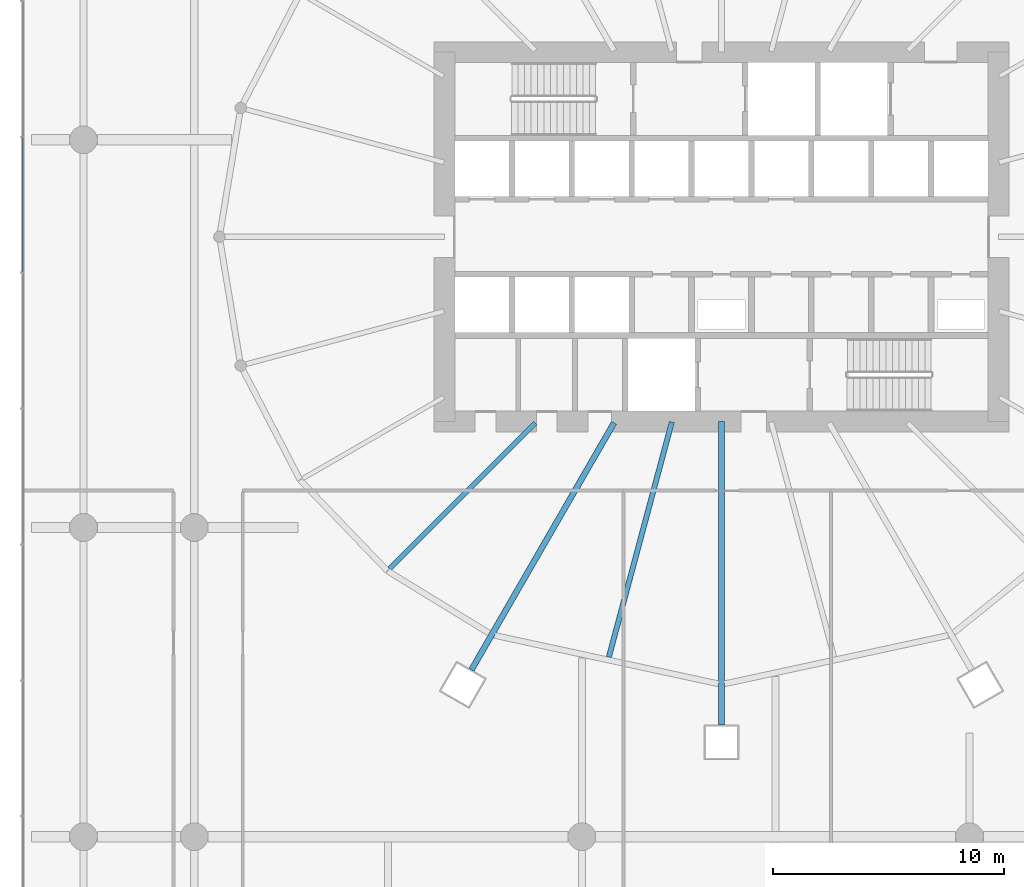
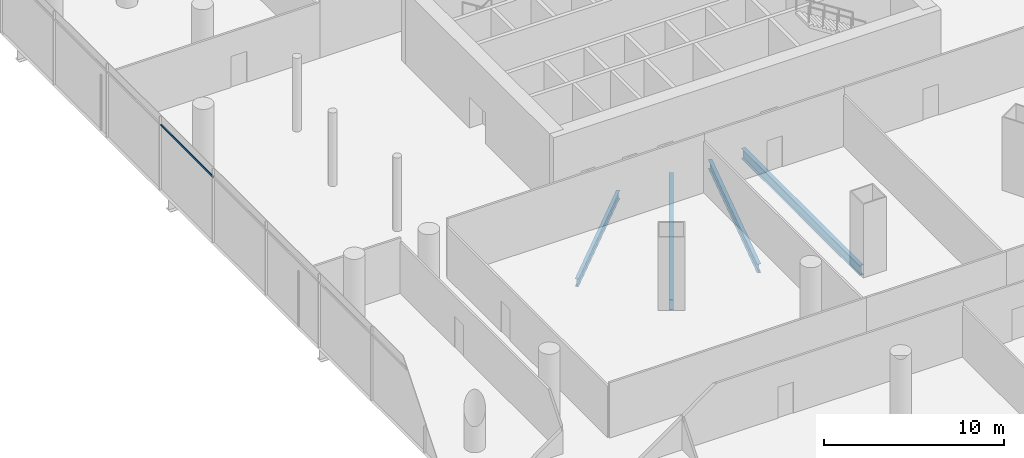
# One storey, part 10 of 51: 4 beams, 1 member, 1 element without a shape of its own.
"""IFC4 building model written with IfcOpenShell, lengths in metres."""

import ifcopenshell
import ifcopenshell.guid

model = None  # the IFC model being written
_history = None  # IfcOwnerHistory: only IFC2X3 demands one
_inside = {}  # id of a spatial element -> (the spatial element, [elements in it])
_under = {}  # id of a project, library or spatial element -> (it, [spatial elements below it])
_declared = {}  # id of a project -> (the project, [libraries it declares])
_typed = {}  # id of a type object -> (the type object, [elements of that type])
_made_of = {}  # id of a material, layer set ... -> (it, [elements and type objects made of it])


def new_model(schema):
    """Start an empty IFC model of exactly this schema.

    Asked for "IFC4X3", IfcOpenShell would pick the latest addendum, in which some entities
    have other attributes; the version numbers below select the first issue.
    IFC2X3 requires an IfcOwnerHistory on every rooted entity: one is made here for all.
    """
    global model, _history
    if schema == "IFC4X3":
        model = ifcopenshell.file(schema_version=(4, 3, 0, 0))
    else:
        model = ifcopenshell.file(schema=schema)
    _inside.clear()
    _under.clear()
    _declared.clear()
    _typed.clear()
    _made_of.clear()
    _history = None
    if model.schema == "IFC2X3":
        org = make("IfcOrganization", Name="unknown")
        user = make(
            "IfcPersonAndOrganization",
            ThePerson=make("IfcPerson", FamilyName="unknown"),
            TheOrganization=org,
        )
        app = make(
            "IfcApplication",
            ApplicationDeveloper=org,
            Version="unknown",
            ApplicationFullName="unknown",
            ApplicationIdentifier="unknown",
        )
        _history = make(
            "IfcOwnerHistory",
            OwningUser=user,
            OwningApplication=app,
            ChangeAction="ADDED",
            CreationDate=0,
        )
    return model


def make(cls, **values):
    """One entity of the class cls with the attributes given. An attribute that is None is left unset."""
    return model.create_entity(
        cls, **{name: value for name, value in values.items() if value is not None}
    )


def rooted(cls, **values):
    """An entity with a GlobalId (a new one), such as an element, a storey or a relation."""
    return make(cls, GlobalId=ifcopenshell.guid.new(), OwnerHistory=_history, **values)


def si_unit(unit_type, name, prefix=None):
    """IfcSIUnit, for example si_unit("LENGTHUNIT", "METRE", prefix="MILLI")."""
    return make("IfcSIUnit", UnitType=unit_type, Prefix=prefix, Name=name)


def assignment(units):
    """IfcUnitAssignment: the units of a project."""
    return None if units is None else make("IfcUnitAssignment", Units=units)


def point(xyz):
    """IfcCartesianPoint."""
    return None if xyz is None else make("IfcCartesianPoint", Coordinates=xyz)


def direction(xyz):
    """IfcDirection."""
    return None if xyz is None else make("IfcDirection", DirectionRatios=xyz)


def frame(location, z_axis=None, x_axis=None):
    """IfcAxis2Placement3D, a coordinate frame: its origin and axes. An axis left out is left unset."""
    return make(
        "IfcAxis2Placement3D",
        Location=point(location),
        Axis=direction(z_axis),
        RefDirection=direction(x_axis),
    )


def frame_2d(location, x_axis=None):
    """IfcAxis2Placement2D, a coordinate frame in the plane: its origin and x axis."""
    return make(
        "IfcAxis2Placement2D", Location=point(location), RefDirection=direction(x_axis)
    )


def origin():
    """The frame at (0, 0, 0) with its axes left unset."""
    return frame((0.0, 0.0, 0.0))


def origin_2d():
    """The frame at (0, 0) in the plane with its x axis left unset."""
    return frame_2d((0.0, 0.0))


def place(relative_to, where):
    """IfcLocalPlacement: puts the frame where relative to a parent placement (None: the world)."""
    return make(
        "IfcLocalPlacement", PlacementRelTo=relative_to, RelativePlacement=where
    )


def context(
    kind, dimensions, precision=None, world=None, true_north=None, identifier=None
):
    """IfcGeometricRepresentationContext, for example the 3D "Model" context."""
    return make(
        "IfcGeometricRepresentationContext",
        ContextIdentifier=identifier,
        ContextType=kind,
        CoordinateSpaceDimension=dimensions,
        Precision=precision,
        WorldCoordinateSystem=world,
        TrueNorth=true_north,
    )


def subcontext(parent, identifier, kind, view, scale=None):
    """IfcGeometricRepresentationSubContext, for example "Body" below "Model"."""
    return make(
        "IfcGeometricRepresentationSubContext",
        ContextIdentifier=identifier,
        ContextType=kind,
        ParentContext=parent,
        TargetScale=scale,
        TargetView=view,
    )


def project(units=None, contexts=None):
    """IfcProject with its units and contexts."""
    return rooted(
        "IfcProject",
        Name="project",
        RepresentationContexts=contexts,
        UnitsInContext=assignment(units),
    )


def spatial(cls, under=None, at=None, **own):
    """A site, building, storey or space (cls), placed at a placement, below another one or the project."""
    s = rooted(cls, ObjectPlacement=at, **own)
    if under is not None:
        _under.setdefault(under.id(), (under, []))[1].append(s)
    return s


def profile(cls, at=None, kind="AREA", **sizes):
    """A parametric profile (cls). Its sizes go by their IFC names, for example OverallWidth=200.0."""
    return make(cls, ProfileType=kind, Position=at, **sizes)


def rectangle(**sizes):
    """IfcRectangleProfileDef."""
    return profile("IfcRectangleProfileDef", **sizes)


def i_section(**sizes):
    """IfcIShapeProfileDef."""
    return profile("IfcIShapeProfileDef", **sizes)


def extrude(swept, where, along, depth):
    """IfcExtrudedAreaSolid: the profile swept, set in the frame where, extruded along a direction by depth."""
    return make(
        "IfcExtrudedAreaSolid",
        SweptArea=swept,
        Position=where,
        ExtrudedDirection=direction(along),
        Depth=depth,
    )


def shape(context_of_items, identifier, shape_type, items):
    """IfcShapeRepresentation: the items that make up one representation, for example the "Body"."""
    return make(
        "IfcShapeRepresentation",
        ContextOfItems=context_of_items,
        RepresentationIdentifier=identifier,
        RepresentationType=shape_type,
        Items=items,
    )


def material(Name=None, Category=None):
    """IfcMaterial."""
    return make("IfcMaterial", Name=Name, Category=Category)


def material_profile(
    of_material, cross_section, Name=None, Category=None, Priority=None
):
    """IfcMaterialProfile: a cross section and its material."""
    return make(
        "IfcMaterialProfile",
        Name=Name,
        Material=of_material,
        Profile=cross_section,
        Priority=Priority,
        Category=Category,
    )


def profile_set(profiles, Name=None, composite=None):
    """IfcMaterialProfileSet."""
    return make(
        "IfcMaterialProfileSet",
        Name=Name,
        MaterialProfiles=profiles,
        CompositeProfile=composite,
    )


def made_of(thing, what):
    """Note that an element or type object is made of a material, layer set ...; save() writes the relation."""
    if what is not None:
        _made_of.setdefault(what.id(), (what, []))[1].append(thing)
    return thing


def type_object(cls, material=None, **own):
    """A type object (cls), such as IfcWallType, which elements share."""
    return made_of(rooted(cls, **own), material)


def element(
    cls,
    number,
    at=None,
    inside=None,
    cuts=None,
    type_object=None,
    material=None,
    context=None,
    identifier="Body",
    shape_type=None,
    held_by="IfcProductDefinitionShape",
    body=None,
    shapes=None,
    **own,
):
    """One element of the class cls, such as IfcWall. Its Tag is "e" and its number.

    at: its placement. inside: the storey or other place that contains it. cuts: it is an
    opening in that element (IfcRelVoidsElement). A single representation is given by context,
    identifier, shape_type and body (its items); several are given by shapes. held_by: the class
    of the entity that holds the representations. save() writes the other relations.
    """
    e = rooted(cls, Tag="e%d" % number, ObjectPlacement=at, **own)
    if body is not None:
        shapes = [shape(context, identifier, shape_type, body)]
    if shapes is not None:
        e.Representation = make(held_by, Representations=shapes)
    if inside is not None:
        _inside.setdefault(inside.id(), (inside, []))[1].append(e)
    if cuts is not None:
        rooted(
            "IfcRelVoidsElement", RelatingBuildingElement=cuts, RelatedOpeningElement=e
        )
    if type_object is not None:
        _typed.setdefault(type_object.id(), (type_object, []))[1].append(e)
    return made_of(e, material)


def aggregate(whole, parts):
    """IfcRelAggregates: a whole, such as a stair, and the parts it consists of."""
    return rooted("IfcRelAggregates", RelatingObject=whole, RelatedObjects=parts)


def save(model, path):
    """Write the relations noted so far, then the file.

    IfcRelAggregates (storeys below a building ...), IfcRelContainedInSpatialStructure (elements
    in a storey), IfcRelDefinesByType, IfcRelAssociatesMaterial and IfcRelDeclares: one each for
    every whole, place, type object, material and project.
    """
    for whole, parts in _under.values():
        aggregate(whole, parts)
    for where, things in _inside.values():
        rooted(
            "IfcRelContainedInSpatialStructure",
            RelatedElements=things,
            RelatingStructure=where,
        )
    for kind, things in _typed.values():
        rooted("IfcRelDefinesByType", RelatedObjects=things, RelatingType=kind)
    for what, things in _made_of.values():
        rooted("IfcRelAssociatesMaterial", RelatedObjects=things, RelatingMaterial=what)
    for by, libraries in _declared.values():
        rooted("IfcRelDeclares", RelatingContext=by, RelatedDefinitions=libraries)
    model.write(path)


model = new_model("IFC4")

# Units and contexts
model_context = context("Model", 3, precision=1e-05, world=origin(), true_north=direction((0.0, 1.0)))
body_context = subcontext(model_context, "Body", "Model", "MODEL_VIEW")
ifc_project = project(units=[si_unit("LENGTHUNIT", "METRE"), si_unit("AREAUNIT", "SQUARE_METRE"), si_unit("VOLUMEUNIT", "CUBIC_METRE"), si_unit("PLANEANGLEUNIT", "RADIAN"), si_unit("MASSUNIT", "GRAM", prefix="KILO")], contexts=[model_context])

# Site, building, storey
site_placement = place(None, origin())
site = spatial("IfcSite", under=ifc_project, at=site_placement, CompositionType="ELEMENT")
building_placement = place(site_placement, origin())
building = spatial("IfcBuilding", under=site, at=building_placement, Name="Rimbun Link Towers", CompositionType="ELEMENT")
storey_placement = place(building_placement, frame((0.0, 0.0, 7.0)))
storey = spatial("IfcBuildingStorey", under=building, at=storey_placement, Name="L01", CompositionType="ELEMENT", Elevation=7.0)

# Curtain wall, member
ifc_material_1 = material(Name="Aluminium 6063-T6 and low-iron glass", Category="aluminium")
curtain_wall_type = type_object("IfcCurtainWallType", Name="CW3 podium shopfront", PredefinedType="NOTDEFINED", material=ifc_material_1)
curtain_wall_placement = place(storey_placement, origin())
curtain_wall = element("IfcCurtainWall", 1, at=curtain_wall_placement, inside=storey, type_object=curtain_wall_type, Name="CW3 L01 PD", PredefinedType="NOTDEFINED")
ifc_material_2 = material(Name="Aluminium 6063-T6", Category="aluminium")
ifc_material_profile_1 = material_profile(ifc_material_2, rectangle(XDim=0.06005859375, YDim=0.1201171875, at=origin_2d()), Name="TRANSOM 60X120")
ifc_profile_set_1 = profile_set([ifc_material_profile_1], Name="Aluminium 6063-T6")
member_type = type_object("IfcMemberType", Name="CW3 transom 60X120", PredefinedType="USERDEFINED", material=ifc_profile_set_1)
member_placement = place(storey_placement, frame((-62.053955078125, -1.525634765625, 4.39990234375), z_axis=(0.0, 1.0, 0.0), x_axis=(-1.0, 0.0, 0.0)))
member = element("IfcMember", 2, at=member_placement, type_object=member_type, Name="CW3 transom", ObjectType="TRANSOM", PredefinedType="USERDEFINED", context=body_context, shape_type="SweptSolid", body=[
    extrude(rectangle(XDim=0.06005859375, YDim=0.1201171875, at=origin_2d()), origin(), (0.0, 0.0, 1.0), 5.828857421875),
])
aggregate(curtain_wall, [member])

# Beams
ifc_material_3 = material(Name="Steel S355J2", Category="steel")
ifc_material_profile_2 = material_profile(ifc_material_3, i_section(OverallWidth=0.209228515625, OverallDepth=0.533203125, WebThickness=0.010009765625, FlangeThickness=0.015625, at=origin_2d()), Name="UB 533x210x92")
ifc_profile_set_2 = profile_set([ifc_material_profile_2], Name="Steel S355J2")
beam_type_1 = type_object("IfcBeamType", Name="UB 533x210x92", PredefinedType="BEAM", material=ifc_profile_set_2)
beam_1_placement = place(storey_placement, frame((-39.82470703125, -8.07470703125, -0.56640625), z_axis=(-0.707106781187, -0.707106781187, 0.0), x_axis=(0.707106781187, -0.707106781187, 0.0)))
element("IfcBeam", 3, at=beam_1_placement, inside=storey, type_object=beam_type_1, Name="Radial beam T1 L01 15", PredefinedType="BEAM", context=body_context, shape_type="SweptSolid", body=[
    extrude(i_section(OverallWidth=0.209228515625, OverallDepth=0.533203125, WebThickness=0.010009765625, FlangeThickness=0.015625, at=origin_2d()), origin(), (0.0, 0.0, 1.0), 8.9287109375),
])
ifc_material_4 = material(Name="Steel S355J2", Category="steel")
ifc_material_profile_3 = material_profile(ifc_material_4, i_section(OverallWidth=0.2275390625, OverallDepth=0.6025390625, WebThickness=0.010498046875, FlangeThickness=0.014892578125, at=origin_2d()), Name="UB 610x229x101")
ifc_profile_set_3 = profile_set([ifc_material_profile_3], Name="Steel S355J2")
beam_type_2 = type_object("IfcBeamType", Name="UB 610x229x101", PredefinedType="BEAM", material=ifc_profile_set_3)
beam_2_placement = place(storey_placement, frame((-33.901611328125, -8.030517578125, -0.601318359375), z_axis=(-0.258844096103, -0.965919113545, 0.0), x_axis=(0.965919113545, -0.258844096103, 0.0)))
element("IfcBeam", 4, at=beam_2_placement, inside=storey, type_object=beam_type_2, Name="Radial beam T1 L01 17", PredefinedType="BEAM", context=body_context, shape_type="SweptSolid", body=[
    extrude(i_section(OverallWidth=0.2275390625, OverallDepth=0.6025390625, WebThickness=0.010498046875, FlangeThickness=0.014892578125, at=origin_2d()), origin(), (0.0, 0.0, 1.0), 10.544921875),
])
ifc_material_5 = material(Name="Steel S355J2", Category="steel")
ifc_material_profile_4 = material_profile(ifc_material_5, i_section(OverallWidth=0.253662109375, OverallDepth=0.68359375, WebThickness=0.012451171875, FlangeThickness=0.01904296875, at=origin_2d()), Name="UB 686x254x140")
ifc_profile_set_4 = profile_set([ifc_material_profile_4], Name="Steel S355J2")
beam_type_3 = type_object("IfcBeamType", Name="UB 686x254x140", PredefinedType="BEAM", material=ifc_profile_set_4)
beam_3_placement = place(storey_placement, frame((-36.406005859375, -8.064208984375, -0.641845703125), z_axis=(-0.499992594562, -0.866029679274, 0.0), x_axis=(0.866029679274, -0.499992594562, 0.0)))
element("IfcBeam", 5, at=beam_3_placement, inside=storey, type_object=beam_type_3, Name="Radial beam T1 L01 16", PredefinedType="BEAM", context=body_context, shape_type="SweptSolid", body=[
    extrude(i_section(OverallWidth=0.253662109375, OverallDepth=0.68359375, WebThickness=0.012451171875, FlangeThickness=0.01904296875, at=origin_2d()), origin(), (0.0, 0.0, 1.0), 12.360595703125),
])
beam_4_placement = place(storey_placement, frame((-31.75, -8.0009765625, -0.641845703125), z_axis=(0.0, -1.0, 0.0), x_axis=(1.0, 0.0, 0.0)))
element("IfcBeam", 6, at=beam_4_placement, inside=storey, type_object=beam_type_3, Name="Radial beam T1 L01 18", PredefinedType="BEAM", context=body_context, shape_type="SweptSolid", body=[
    extrude(i_section(OverallWidth=0.253662109375, OverallDepth=0.68359375, WebThickness=0.012451171875, FlangeThickness=0.01904296875, at=origin_2d()), origin(), (0.0, 0.0, 1.0), 13.1533203125),
])

save(model, "model.ifc")
